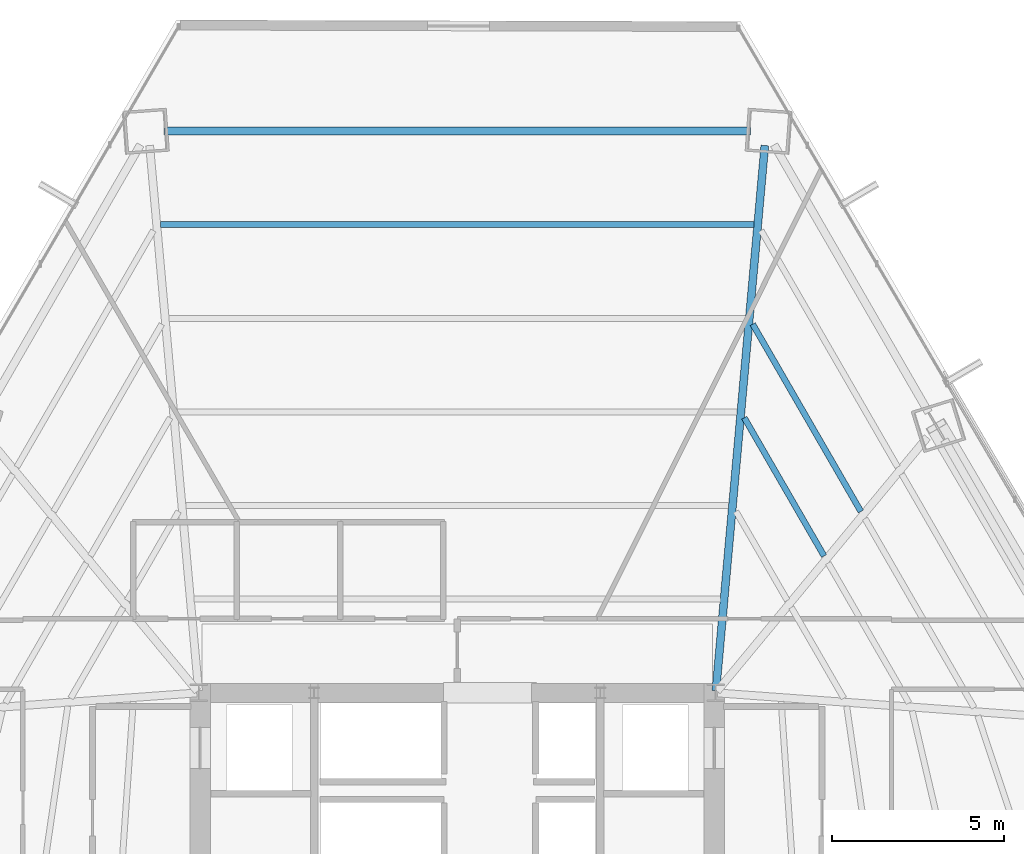
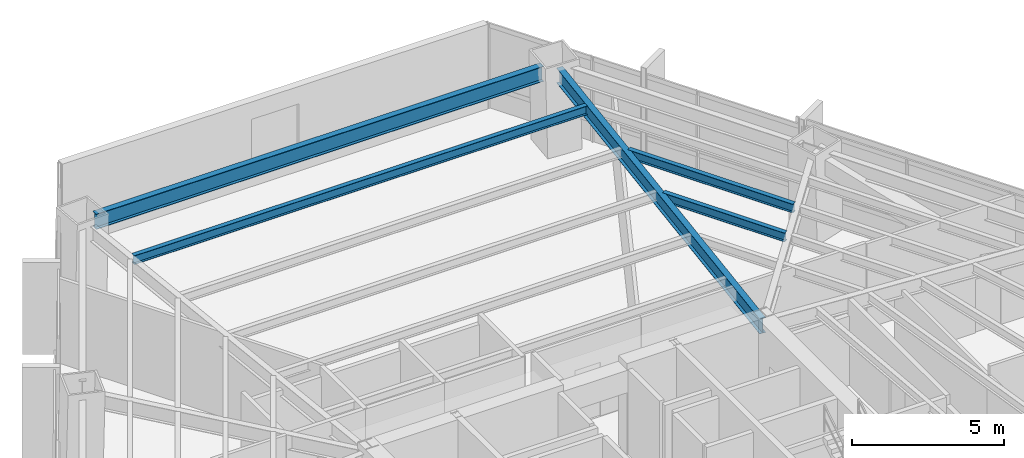
# One storey, part 25 of 33: 5 beams.
"""IFC4 building model written with IfcOpenShell, lengths in metres."""

from ifc_helpers import new_model, si_unit, direction, frame, origin, origin_2d, place, context, subcontext, project, spatial, i_section, extrude, source, transform, mapped, material, material_profile, profile_set, type_object, type_shapes, element, save


model = new_model("IFC4")

# Units and contexts
model_context = context("Model", 3, precision=1e-05, world=origin(), true_north=direction((0.0, 1.0)))
body_context = subcontext(model_context, "Body", "Model", "MODEL_VIEW")
ifc_project = project(units=[si_unit("LENGTHUNIT", "METRE"), si_unit("AREAUNIT", "SQUARE_METRE"), si_unit("VOLUMEUNIT", "CUBIC_METRE"), si_unit("PLANEANGLEUNIT", "RADIAN"), si_unit("MASSUNIT", "GRAM", prefix="KILO")], contexts=[model_context])

# Site, building, storey
site_placement = place(None, origin())
site = spatial("IfcSite", under=ifc_project, at=site_placement, CompositionType="ELEMENT")
building_placement = place(site_placement, origin())
building = spatial("IfcBuilding", under=site, at=building_placement, Name="Caelisora Broadcast Tower", CompositionType="ELEMENT")
storey_placement = place(building_placement, frame((0.0, 0.0, 38.550048828125)))
storey = spatial("IfcBuildingStorey", under=building, at=storey_placement, Name="L09", CompositionType="ELEMENT", Elevation=38.550048828125)

# Beams
ifc_material = material(Name="Steel Grade 350 (AS/NZS 3679.1)", Category="steel")
ifc_material_profile_1 = material_profile(ifc_material, i_section(OverallWidth=0.22900390625, OverallDepth=0.611572265625, WebThickness=0.011962890625, FlangeThickness=0.01953125, at=origin_2d()), Name="Steel Grade 350 (AS/NZS 3679.1)")
ifc_profile_set_1 = profile_set([ifc_material_profile_1], Name="Steel Grade 350 (AS/NZS 3679.1)")
beam_type_1 = type_object("IfcBeamType", Name="PG03", PredefinedType="BEAM", material=ifc_profile_set_1)
shared_shape_1 = source(origin(), body_context, "Body", "SweptSolid", [
    extrude(i_section(OverallWidth=0.22900390625, OverallDepth=0.611572265625, WebThickness=0.011962890625, FlangeThickness=0.01953125, at=origin_2d()), origin(), (0.0, 0.0, 1.0), 17.00537109375),
])
type_shapes(beam_type_1, [shared_shape_1])
beam_1_placement = place(storey_placement, frame((46.502685546875, 46.297607421875, 3.09423828125), z_axis=(-1.0, 0.0, 0.0), x_axis=(0.0, -1.0, 0.0)))
element("IfcBeam", 1, at=beam_1_placement, inside=storey, type_object=beam_type_1, Name="L09 beam PG03", PredefinedType="BEAM", context=body_context, shape_type="MappedRepresentation", body=[
    mapped(shared_shape_1, transform((0.0, 0.0, 0.0), scale=1.0)),
])
ifc_material_profile_2 = material_profile(ifc_material, i_section(OverallWidth=0.22802734375, OverallDepth=0.602294921875, WebThickness=0.010498046875, FlangeThickness=0.014892578125, at=origin_2d()), Name="Steel Grade 350 (AS/NZS 3679.1)")
ifc_profile_set_2 = profile_set([ifc_material_profile_2], Name="Steel Grade 350 (AS/NZS 3679.1)")
beam_type_2 = type_object("IfcBeamType", Name="PG04", PredefinedType="BEAM", material=ifc_profile_set_2)
shared_shape_2 = source(origin(), body_context, "Body", "SweptSolid", [
    extrude(i_section(OverallWidth=0.22802734375, OverallDepth=0.602294921875, WebThickness=0.010498046875, FlangeThickness=0.014892578125, at=origin_2d()), origin(), (0.0, 0.0, 1.0), 15.883056640625),
])
type_shapes(beam_type_2, [shared_shape_2])
beam_2_placement = place(storey_placement, frame((45.50537109375, 30.059814453125, 3.098876953125), z_axis=(0.089397853481, 0.995995995872, 0.0), x_axis=(-0.995995995872, 0.089397853481, 0.0)))
element("IfcBeam", 2, at=beam_2_placement, inside=storey, type_object=beam_type_2, Name="L09 beam PG04", PredefinedType="BEAM", context=body_context, shape_type="MappedRepresentation", body=[
    mapped(shared_shape_2, transform((0.0, 0.0, 0.0), scale=1.0)),
])
ifc_material_profile_3 = material_profile(ifc_material, i_section(OverallWidth=0.172119140625, OverallDepth=0.358642578125, WebThickness=0.008056640625, FlangeThickness=0.012939453125, at=origin_2d()), Name="Steel Grade 350 (AS/NZS 3679.1)")
ifc_profile_set_3 = profile_set([ifc_material_profile_3], Name="Steel Grade 350 (AS/NZS 3679.1)")
beam_type_3 = type_object("IfcBeamType", Name="SB02", PredefinedType="JOIST", material=ifc_profile_set_3)
shared_shape_3 = source(origin(), body_context, "Body", "SweptSolid", [
    extrude(i_section(OverallWidth=0.172119140625, OverallDepth=0.358642578125, WebThickness=0.008056640625, FlangeThickness=0.012939453125, at=origin_2d()), origin(), (0.0, 0.0, 1.0), 17.21484375),
])
beam_3_placement = place(storey_placement, frame((46.607421875, 43.581298828125, 3.220703125), z_axis=(-1.0, 0.0, 0.0), x_axis=(0.0, -1.0, 0.0)))
element("IfcBeam", 3, at=beam_3_placement, inside=storey, type_object=beam_type_3, Name="L09 beam SB02", PredefinedType="JOIST", context=body_context, shape_type="MappedRepresentation", body=[
    mapped(shared_shape_3, transform((0.0, 0.0, 0.0), scale=1.0)),
])
shared_shape_4 = source(origin(), body_context, "Body", "SweptSolid", [
    extrude(i_section(OverallWidth=0.172119140625, OverallDepth=0.358642578125, WebThickness=0.008056640625, FlangeThickness=0.012939453125, at=origin_2d()), origin(), (0.0, 0.0, 1.0), 4.62939453125),
])
beam_4_placement = place(storey_placement, frame((48.6435546875, 33.970703125, 3.220703125), z_axis=(-0.4999902654, 0.866031023985, 0.0), x_axis=(-0.866031023985, -0.4999902654, 0.0)))
element("IfcBeam", 4, at=beam_4_placement, inside=storey, type_object=beam_type_3, Name="L09 beam SB02", PredefinedType="JOIST", context=body_context, shape_type="MappedRepresentation", body=[
    mapped(shared_shape_4, transform((0.0, 0.0, 0.0), scale=1.0)),
])
shared_shape_5 = source(origin(), body_context, "Body", "SweptSolid", [
    extrude(i_section(OverallWidth=0.172119140625, OverallDepth=0.358642578125, WebThickness=0.008056640625, FlangeThickness=0.012939453125, at=origin_2d()), origin(), (0.0, 0.0, 1.0), 6.27685546875),
])
type_shapes(beam_type_3, [shared_shape_3, shared_shape_4, shared_shape_5])
beam_5_placement = place(storey_placement, frame((49.711181640625, 35.26025390625, 3.220703125), z_axis=(-0.499991800177, 0.866030137903, 0.0), x_axis=(-0.866030137903, -0.499991800177, 0.0)))
element("IfcBeam", 5, at=beam_5_placement, inside=storey, type_object=beam_type_3, Name="L09 beam SB02", PredefinedType="JOIST", context=body_context, shape_type="MappedRepresentation", body=[
    mapped(shared_shape_5, transform((0.0, 0.0, 0.0), scale=1.0)),
])

save(model, "model.ifc")
